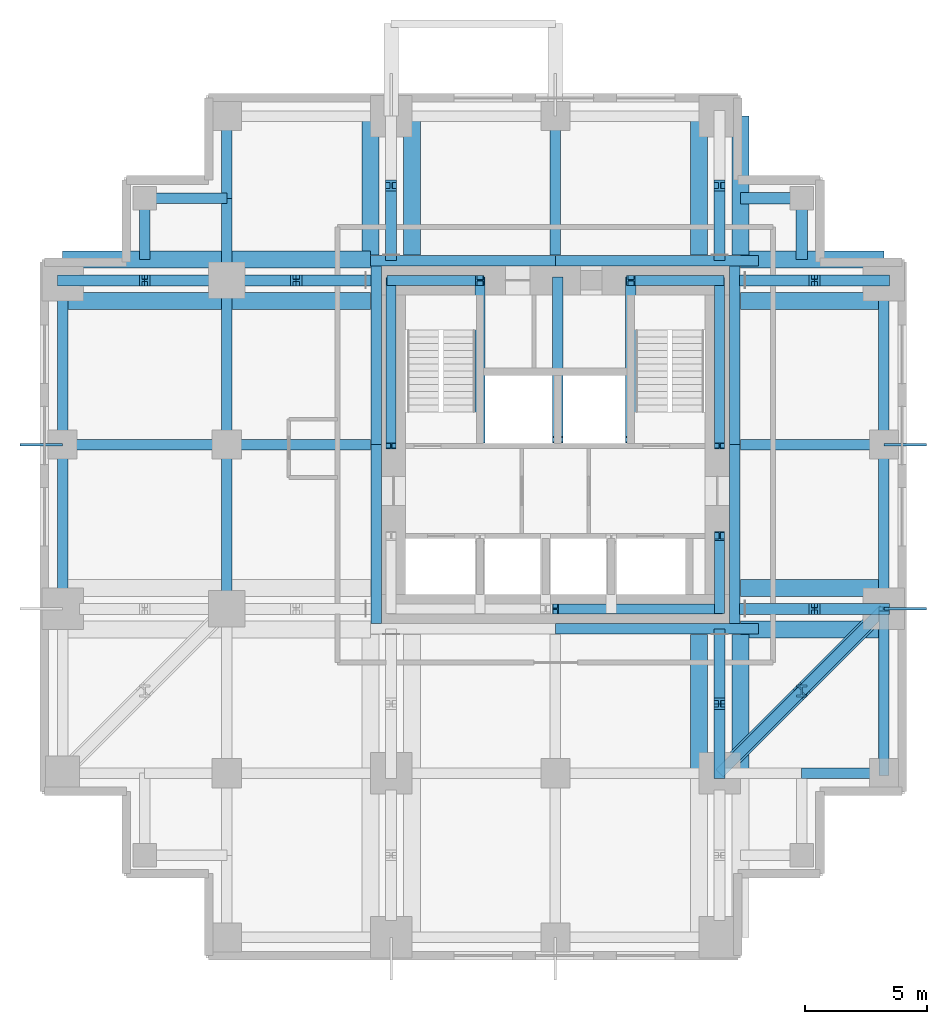
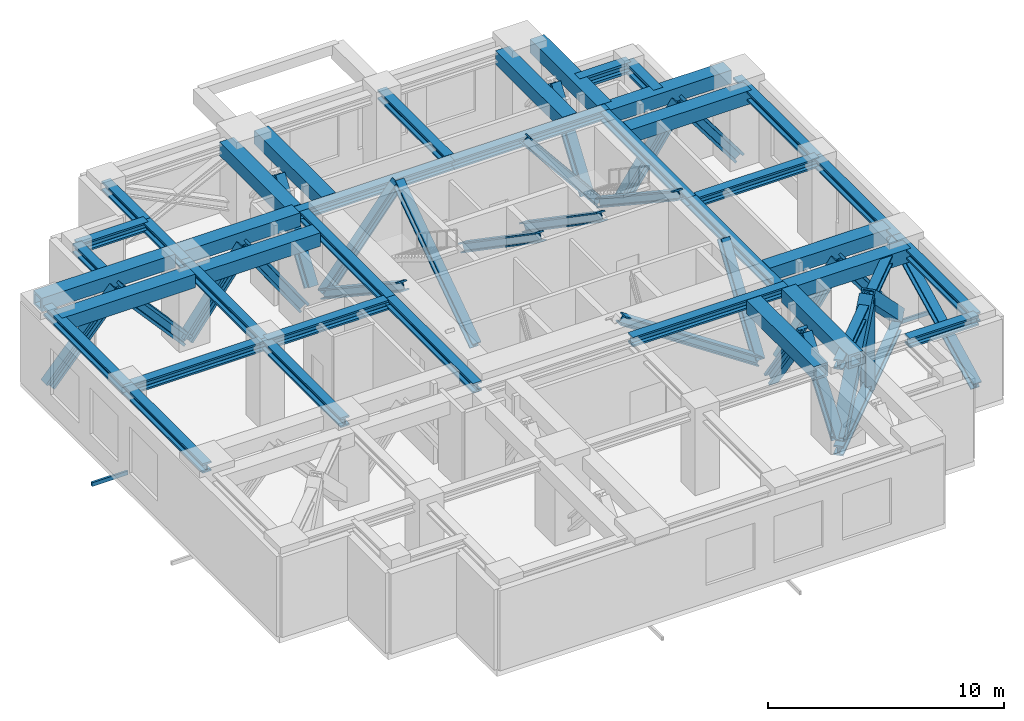
# One storey, part 2 of 6: 39 beams, 31 members.
"""IFC4 building model written with IfcOpenShell, lengths in metres."""

from ifc_helpers import new_model, si_unit, direction, frame, origin, origin_2d, place, context, subcontext, project, spatial, hollow_rectangle, i_section, extrude, material, material_profile, profile_set, type_object, element, save


model = new_model("IFC4")

# Units and contexts
model_context = context("Model", 3, precision=1e-05, world=origin(), true_north=direction((0.0, 1.0)))
body_context = subcontext(model_context, "Body", "Model", "MODEL_VIEW")
ifc_project = project(units=[si_unit("LENGTHUNIT", "METRE"), si_unit("AREAUNIT", "SQUARE_METRE"), si_unit("VOLUMEUNIT", "CUBIC_METRE"), si_unit("PLANEANGLEUNIT", "RADIAN"), si_unit("MASSUNIT", "GRAM", prefix="KILO")], contexts=[model_context])

# Site, building, storey
site_placement = place(None, origin())
site = spatial("IfcSite", under=ifc_project, at=site_placement, CompositionType="ELEMENT")
building_placement = place(site_placement, origin())
building = spatial("IfcBuilding", under=site, at=building_placement, Name="Nyansa Garden Tower", CompositionType="ELEMENT")
storey_placement = place(building_placement, frame((0.0, 0.0, 199.800048828125)))
storey = spatial("IfcBuildingStorey", under=building, at=storey_placement, Name="L54", CompositionType="ELEMENT", Elevation=199.800048828125)

# Members
ifc_material_1 = material(Name="Steel S355, black powder coated", Category="steel")
ifc_material_profile_1 = material_profile(ifc_material_1, hollow_rectangle(XDim=0.10009765625, YDim=0.199951171875, WallThickness=0.008056640625, at=origin_2d()), Name="RHS 200x100x8")
ifc_profile_set_1 = profile_set([ifc_material_profile_1], Name="Steel S355, black powder coated")
member_type_1 = type_object("IfcMemberType", Name="Outer skin bracket arm RHS 200x100x8", PredefinedType="USERDEFINED", material=ifc_profile_set_1)
for number, where, z_axis, x_axis, name in (
    (1, (33.75, 13.5, -0.449951171875), (1.0, 0.0, 0.0), (0.0, 1.0, 0.0), "Outer skin bracket arm"),
    (2, (33.75, 20.25, -0.449951171875), (1.0, 0.0, 0.0), (0.0, 1.0, 0.0), "Outer skin bracket arm"),
    (3, (0.0, 20.25, -0.449951171875), (-1.0, 0.0, 0.0), (0.0, -1.0, 0.0), "Outer skin bracket arm"),
):
    element("IfcMember", number, at=place(storey_placement, frame(where, z_axis=z_axis, x_axis=x_axis)), inside=storey, type_object=member_type_1, Name=name, ObjectType="OUTER SKIN BRACKET", PredefinedType="USERDEFINED", context=body_context, shape_type="SweptSolid", body=[
        extrude(hollow_rectangle(XDim=0.10009765625, YDim=0.199951171875, WallThickness=0.008056640625, at=origin_2d()), origin(), (0.0, 0.0, 1.0), 1.75),
    ])

# Beams
ifc_material_2 = material(Name="Steel S355", Category="steel")
ifc_material_profile_2 = material_profile(ifc_material_2, hollow_rectangle(XDim=0.699951171875, YDim=0.699951171875, WallThickness=0.110107421875, at=origin_2d()), Name="Welded box 700x700x110")
ifc_profile_set_2 = profile_set([ifc_material_profile_2], Name="Steel S355")
beam_type_1 = type_object("IfcBeamType", Name="Outrigger chord OC2 welded box 700x700x110 S355", PredefinedType="BEAM", material=ifc_profile_set_2)
for number, where, z_axis, x_axis, name in (
    (4, (0.0, 27.85009765625, 3.800048828125), (1.0, 0.0, 0.0), (0.0, 1.0, 0.0), "Beam 2/H-3/H L55 a"),
    (5, (0.0, 26.14990234375, 3.800048828125), (1.0, 0.0, 0.0), (0.0, 1.0, 0.0), "Beam 2/H-3/H L55 b"),
):
    element("IfcBeam", number, at=place(storey_placement, frame(where, z_axis=z_axis, x_axis=x_axis)), inside=storey, type_object=beam_type_1, Name=name, PredefinedType="BEAM", context=body_context, shape_type="SweptSolid", body=[
        extrude(hollow_rectangle(XDim=0.699951171875, YDim=0.699951171875, WallThickness=0.110107421875, at=origin_2d()), origin(), (0.0, 0.0, 1.0), 6.533935546875),
    ])
for number, where, z_axis, x_axis, name in (
    (6, (6.966064453125, 27.85009765625, 3.800048828125), (1.0, 0.0, 0.0), (0.0, 1.0, 0.0), "Beam 3/H-12.650/H L55 a"),
    (7, (6.966064453125, 26.14990234375, 3.800048828125), (1.0, 0.0, 0.0), (0.0, 1.0, 0.0), "Beam 3/H-12.650/H L55 b"),
):
    element("IfcBeam", number, at=place(storey_placement, frame(where, z_axis=z_axis, x_axis=x_axis)), inside=storey, type_object=beam_type_1, Name=name, PredefinedType="BEAM", context=body_context, shape_type="SweptSolid", body=[
        extrude(hollow_rectangle(XDim=0.699951171875, YDim=0.699951171875, WallThickness=0.110107421875, at=origin_2d()), origin(), (0.0, 0.0, 1.0), 5.683837890625),
    ])
for number, where, z_axis, x_axis, name in (
    (8, (12.64990234375, 28.050048828125, 3.800048828125), (0.0, 1.0, 0.0), (-1.0, 0.0, 0.0), "Beam 4/28.050-4/J L55 a"),
    (9, (14.35009765625, 28.050048828125, 3.800048828125), (0.0, 1.0, 0.0), (-1.0, 0.0, 0.0), "Beam 4/28.050-4/J L55 b"),
    (10, (26.14990234375, 6.75, 3.800048828125), (0.0, 1.0, 0.0), (-1.0, 0.0, 0.0), "Beam 6/E-6/12.450 L55 a"),
    (11, (27.85009765625, 6.75, 3.800048828125), (0.0, 1.0, 0.0), (-1.0, 0.0, 0.0), "Beam 6/E-6/12.450 L55 b"),
):
    element("IfcBeam", number, at=place(storey_placement, frame(where, z_axis=z_axis, x_axis=x_axis)), inside=storey, type_object=beam_type_1, Name=name, PredefinedType="BEAM", context=body_context, shape_type="SweptSolid", body=[
        extrude(hollow_rectangle(XDim=0.699951171875, YDim=0.699951171875, WallThickness=0.110107421875, at=origin_2d()), origin(), (0.0, 0.0, 1.0), 5.699951171875),
    ])
for number, where, z_axis, x_axis, name in (
    (12, (27.85009765625, 14.35009765625, 3.800048828125), (1.0, 0.0, 0.0), (0.0, 1.0, 0.0), "Beam 27.850/F-7/F L55 a"),
    (13, (27.85009765625, 12.64990234375, 3.800048828125), (1.0, 0.0, 0.0), (0.0, 1.0, 0.0), "Beam 27.850/F-7/F L55 b"),
):
    element("IfcBeam", number, at=place(storey_placement, frame(where, z_axis=z_axis, x_axis=x_axis)), inside=storey, type_object=beam_type_1, Name=name, PredefinedType="BEAM", context=body_context, shape_type="SweptSolid", body=[
        extrude(hollow_rectangle(XDim=0.699951171875, YDim=0.699951171875, WallThickness=0.110107421875, at=origin_2d()), origin(), (0.0, 0.0, 1.0), 5.89990234375),
    ])
for number, where, z_axis, x_axis, name in (
    (14, (26.14990234375, 28.050048828125, 3.800048828125), (0.0, 1.0, 0.0), (-1.0, 0.0, 0.0), "Beam 6/28.050-6/J L55 a"),
    (15, (27.85009765625, 28.050048828125, 3.800048828125), (0.0, 1.0, 0.0), (-1.0, 0.0, 0.0), "Beam 6/28.050-6/J L55 b"),
):
    element("IfcBeam", number, at=place(storey_placement, frame(where, z_axis=z_axis, x_axis=x_axis)), inside=storey, type_object=beam_type_1, Name=name, PredefinedType="BEAM", context=body_context, shape_type="SweptSolid", body=[
        extrude(hollow_rectangle(XDim=0.699951171875, YDim=0.699951171875, WallThickness=0.110107421875, at=origin_2d()), origin(), (0.0, 0.0, 1.0), 5.699951171875),
    ])
for number, where, z_axis, x_axis, name in (
    (16, (27.85009765625, 27.85009765625, 3.800048828125), (1.0, 0.0, 0.0), (0.0, 1.0, 0.0), "Beam 27.850/H-7/H L55 a"),
    (17, (27.85009765625, 26.14990234375, 3.800048828125), (1.0, 0.0, 0.0), (0.0, 1.0, 0.0), "Beam 27.850/H-7/H L55 b"),
):
    element("IfcBeam", number, at=place(storey_placement, frame(where, z_axis=z_axis, x_axis=x_axis)), inside=storey, type_object=beam_type_1, Name=name, PredefinedType="BEAM", context=body_context, shape_type="SweptSolid", body=[
        extrude(hollow_rectangle(XDim=0.699951171875, YDim=0.699951171875, WallThickness=0.110107421875, at=origin_2d()), origin(), (0.0, 0.0, 1.0), 5.89990234375),
    ])

# Members
ifc_material_3 = material(Name="Steel S355", Category="steel")
ifc_material_profile_3 = material_profile(ifc_material_3, i_section(OverallWidth=0.4541015625, OverallDepth=0.569091796875, WebThickness=0.077880859375, FlangeThickness=0.125, FilletRadius=0.014892578125, at=origin_2d()), Name="HD 400x1086")
ifc_profile_set_3 = profile_set([ifc_material_profile_3], Name="Steel S355")
member_type_2 = type_object("IfcMemberType", Name="Outrigger truss diagonal HD 400x1086", PredefinedType="BRACE", material=ifc_profile_set_3)
member_1_placement = place(storey_placement, frame((27.0, 6.75, 0.0), z_axis=(0.0, 0.600008223483, 0.799993832321), x_axis=(-1.0, 0.0, 0.0)))
element("IfcMember", 18, at=member_1_placement, inside=storey, type_object=member_type_2, Name="Outrigger truss diagonal L54 2.2a", PredefinedType="BRACE", context=body_context, shape_type="SweptSolid", body=[
    extrude(i_section(OverallWidth=0.4541015625, OverallDepth=0.569091796875, WebThickness=0.077880859375, FlangeThickness=0.125, FilletRadius=0.014892578125, at=origin_2d()), origin(), (0.0, 0.0, 1.0), 4.75),
])
for number, where, z_axis, x_axis, name in (
    (19, (27.0, 12.449951171875, -0.300048828125), (0.0, -0.570742116103, 0.82112936673), (1.0, 0.0, 0.0), "Outrigger truss diagonal L54 2.2b"),
    (20, (13.5, 28.050048828125, -0.300048828125), (0.0, 0.570742116103, 0.82112936673), (-1.0, 0.0, 0.0), "Outrigger truss diagonal L54 3.1a"),
    (21, (27.0, 28.050048828125, -0.300048828125), (0.0, 0.570742116103, 0.82112936673), (-1.0, 0.0, 0.0), "Outrigger truss diagonal L54 4.1a"),
):
    element("IfcMember", number, at=place(storey_placement, frame(where, z_axis=z_axis, x_axis=x_axis)), inside=storey, type_object=member_type_2, Name=name, PredefinedType="BRACE", context=body_context, shape_type="SweptSolid", body=[
        extrude(i_section(OverallWidth=0.4541015625, OverallDepth=0.569091796875, WebThickness=0.077880859375, FlangeThickness=0.125, FilletRadius=0.014892578125, at=origin_2d()), origin(), (0.0, 0.0, 1.0), 4.9931640625),
    ])
for number, where, z_axis, x_axis, name in (
    (22, (0.0, 27.0, 0.0), (0.664053699108, 0.0, 0.747684883291), (0.0, 1.0, 0.0), "Outrigger truss diagonal L54 6.1a"),
    (23, (6.75, 27.0, 0.0), (-0.664053699108, 0.0, 0.747684883291), (0.0, -1.0, 0.0), "Outrigger truss diagonal L54 6.1b"),
):
    element("IfcMember", number, at=place(storey_placement, frame(where, z_axis=z_axis, x_axis=x_axis)), inside=storey, type_object=member_type_2, Name=name, PredefinedType="BRACE", context=body_context, shape_type="SweptSolid", body=[
        extrude(i_section(OverallWidth=0.4541015625, OverallDepth=0.569091796875, WebThickness=0.077880859375, FlangeThickness=0.125, FilletRadius=0.014892578125, at=origin_2d()), origin(), (0.0, 0.0, 1.0), 5.08251953125),
    ])
member_2_placement = place(storey_placement, frame((6.75, 27.0, 0.0), z_axis=(0.600008223483, 0.0, 0.799993832321), x_axis=(0.0, 1.0, 0.0)))
element("IfcMember", 24, at=member_2_placement, inside=storey, type_object=member_type_2, Name="Outrigger truss diagonal L54 6.2a", PredefinedType="BRACE", context=body_context, shape_type="SweptSolid", body=[
    extrude(i_section(OverallWidth=0.4541015625, OverallDepth=0.569091796875, WebThickness=0.077880859375, FlangeThickness=0.125, FilletRadius=0.014892578125, at=origin_2d()), origin(), (0.0, 0.0, 1.0), 4.75),
])
for number, where, z_axis, x_axis, name in (
    (25, (12.449951171875, 27.0, -0.300048828125), (-0.570742116103, 0.0, 0.82112936673), (0.0, -1.0, 0.0), "Outrigger truss diagonal L54 6.2b"),
    (26, (28.050048828125, 13.5, -0.300048828125), (0.570742116103, 0.0, 0.82112936673), (0.0, 1.0, 0.0), "Outrigger truss diagonal L54 7.1a"),
):
    element("IfcMember", number, at=place(storey_placement, frame(where, z_axis=z_axis, x_axis=x_axis)), inside=storey, type_object=member_type_2, Name=name, PredefinedType="BRACE", context=body_context, shape_type="SweptSolid", body=[
        extrude(i_section(OverallWidth=0.4541015625, OverallDepth=0.569091796875, WebThickness=0.077880859375, FlangeThickness=0.125, FilletRadius=0.014892578125, at=origin_2d()), origin(), (0.0, 0.0, 1.0), 4.9931640625),
    ])
member_3_placement = place(storey_placement, frame((33.75, 13.5, 0.0), z_axis=(-0.600008223483, 0.0, 0.799993832321), x_axis=(0.0, -1.0, 0.0)))
element("IfcMember", 27, at=member_3_placement, inside=storey, type_object=member_type_2, Name="Outrigger truss diagonal L54 7.1b", PredefinedType="BRACE", context=body_context, shape_type="SweptSolid", body=[
    extrude(i_section(OverallWidth=0.4541015625, OverallDepth=0.569091796875, WebThickness=0.077880859375, FlangeThickness=0.125, FilletRadius=0.014892578125, at=origin_2d()), origin(), (0.0, 0.0, 1.0), 4.75),
])
member_4_placement = place(storey_placement, frame((28.050048828125, 27.0, -0.300048828125), z_axis=(0.570742116103, 0.0, 0.82112936673), x_axis=(0.0, 1.0, 0.0)))
element("IfcMember", 28, at=member_4_placement, inside=storey, type_object=member_type_2, Name="Outrigger truss diagonal L54 8.1a", PredefinedType="BRACE", context=body_context, shape_type="SweptSolid", body=[
    extrude(i_section(OverallWidth=0.4541015625, OverallDepth=0.569091796875, WebThickness=0.077880859375, FlangeThickness=0.125, FilletRadius=0.014892578125, at=origin_2d()), origin(), (0.0, 0.0, 1.0), 4.9931640625),
])
member_5_placement = place(storey_placement, frame((33.75, 27.0, 0.0), z_axis=(-0.600008223483, 0.0, 0.799993832321), x_axis=(0.0, -1.0, 0.0)))
element("IfcMember", 29, at=member_5_placement, inside=storey, type_object=member_type_2, Name="Outrigger truss diagonal L54 8.1b", PredefinedType="BRACE", context=body_context, shape_type="SweptSolid", body=[
    extrude(i_section(OverallWidth=0.4541015625, OverallDepth=0.569091796875, WebThickness=0.077880859375, FlangeThickness=0.125, FilletRadius=0.014892578125, at=origin_2d()), origin(), (0.0, 0.0, 1.0), 4.75),
])
ifc_material_4 = material(Name="Steel S355", Category="steel")
ifc_material_profile_4 = material_profile(ifc_material_4, i_section(OverallWidth=0.41796875, OverallDepth=0.455078125, WebThickness=0.0419921875, FlangeThickness=0.067626953125, FilletRadius=0.014892578125, at=origin_2d()), Name="HD 400x463")
ifc_profile_set_4 = profile_set([ifc_material_profile_4], Name="Steel S355")
member_type_3 = type_object("IfcMemberType", Name="Perimeter brace heavy HD 400x463", PredefinedType="BRACE", material=ifc_profile_set_4)
member_6_placement = place(storey_placement, frame((27.0, 13.5, 0.0), z_axis=(-0.832050294338, 0.0, 0.554700196225), x_axis=(0.0, -1.0, 0.0)))
element("IfcMember", 30, at=member_6_placement, inside=storey, type_object=member_type_3, Name="Core brace CS2 L54", PredefinedType="BRACE", context=body_context, shape_type="SweptSolid", body=[
    extrude(i_section(OverallWidth=0.41796875, OverallDepth=0.455078125, WebThickness=0.0419921875, FlangeThickness=0.067626953125, FilletRadius=0.014892578125, at=origin_2d()), origin(), (0.0, 0.0, 1.0), 8.112548828125),
])
for number, where, z_axis, x_axis, name in (
    (31, (13.5, 27.0, 0.0), (0.629932498557, 0.0, 0.776649887184), (0.0, 1.0, 0.0), "Core brace CN3 L54"),
    (32, (27.0, 27.0, 0.0), (-0.629932498557, 0.0, 0.776649887184), (0.0, -1.0, 0.0), "Core brace CN4 L54"),
):
    element("IfcMember", number, at=place(storey_placement, frame(where, z_axis=z_axis, x_axis=x_axis)), inside=storey, type_object=member_type_3, Name=name, PredefinedType="BRACE", context=body_context, shape_type="SweptSolid", body=[
        extrude(i_section(OverallWidth=0.41796875, OverallDepth=0.455078125, WebThickness=0.0419921875, FlangeThickness=0.067626953125, FilletRadius=0.014892578125, at=origin_2d()), origin(), (0.0, 0.0, 1.0), 5.794189453125),
    ])
member_7_placement = place(storey_placement, frame((13.5, 27.0, 0.0), z_axis=(0.0, -0.833934029443, 0.551864145), x_axis=(1.0, 0.0, 0.0)))
element("IfcMember", 33, at=member_7_placement, inside=storey, type_object=member_type_3, Name="Core brace CW6 L54", PredefinedType="BRACE", context=body_context, shape_type="SweptSolid", body=[
    extrude(i_section(OverallWidth=0.41796875, OverallDepth=0.455078125, WebThickness=0.0419921875, FlangeThickness=0.067626953125, FilletRadius=0.014892578125, at=origin_2d()), origin(), (0.0, 0.0, 1.0), 8.154296875),
])
member_8_placement = place(storey_placement, frame((27.0, 13.5, 0.0), z_axis=(0.0, 0.554700196225, 0.832050294338), x_axis=(-1.0, 0.0, 0.0)))
element("IfcMember", 34, at=member_8_placement, inside=storey, type_object=member_type_3, Name="Core brace CE7 L54", PredefinedType="BRACE", context=body_context, shape_type="SweptSolid", body=[
    extrude(i_section(OverallWidth=0.41796875, OverallDepth=0.455078125, WebThickness=0.0419921875, FlangeThickness=0.067626953125, FilletRadius=0.014892578125, at=origin_2d()), origin(), (0.0, 0.0, 1.0), 5.408447265625),
])
member_9_placement = place(storey_placement, frame((27.0, 27.0, 0.0), z_axis=(0.0, -0.833934029443, 0.551864145), x_axis=(1.0, 0.0, 0.0)))
element("IfcMember", 35, at=member_9_placement, inside=storey, type_object=member_type_3, Name="Core brace CE8 L54", PredefinedType="BRACE", context=body_context, shape_type="SweptSolid", body=[
    extrude(i_section(OverallWidth=0.41796875, OverallDepth=0.455078125, WebThickness=0.0419921875, FlangeThickness=0.067626953125, FilletRadius=0.014892578125, at=origin_2d()), origin(), (0.0, 0.0, 1.0), 8.154296875),
])
for number, where, z_axis, x_axis, name in (
    (36, (17.14990234375, 20.449951171875, 0.0), (0.0, 0.824227431411, 0.566258899541), (-1.0, 0.0, 0.0), "Core brace CWS9 L54"),
    (37, (23.35009765625, 27.0, 0.0), (0.0, -0.824227431411, 0.566258899541), (1.0, 0.0, 0.0), "Core brace CES10 L54"),
    (38, (20.35009765625, 27.0, 0.0), (0.0, -0.824227431411, 0.566258899541), (1.0, 0.0, 0.0), "Core brace CNW14 L54"),
):
    element("IfcMember", number, at=place(storey_placement, frame(where, z_axis=z_axis, x_axis=x_axis)), inside=storey, type_object=member_type_3, Name=name, PredefinedType="BRACE", context=body_context, shape_type="SweptSolid", body=[
        extrude(i_section(OverallWidth=0.41796875, OverallDepth=0.455078125, WebThickness=0.0419921875, FlangeThickness=0.067626953125, FilletRadius=0.014892578125, at=origin_2d()), origin(), (0.0, 0.0, 1.0), 7.94677734375),
    ])
member_10_placement = place(storey_placement, frame((33.75, 6.75, 0.39990234375), z_axis=(0.0, 0.893092378182, 0.449873319985), x_axis=(-1.0, 0.0, 0.0)))
element("IfcMember", 39, at=member_10_placement, inside=storey, type_object=member_type_3, Name="Perimeter brace E1 L54", PredefinedType="BRACE", context=body_context, shape_type="SweptSolid", body=[
    extrude(i_section(OverallWidth=0.41796875, OverallDepth=0.455078125, WebThickness=0.0419921875, FlangeThickness=0.067626953125, FilletRadius=0.014892578125, at=origin_2d()), origin(), (0.0, 0.0, 1.0), 7.55810546875),
])

# Beams
ifc_material_5 = material(Name="Steel S355", Category="steel")
ifc_material_profile_5 = material_profile(ifc_material_5, i_section(OverallWidth=0.431884765625, OverallDepth=0.498046875, WebThickness=0.0556640625, FlangeThickness=0.0888671875, FilletRadius=0.014892578125, at=origin_2d()), Name="HD 400x744")
ifc_profile_set_5 = profile_set([ifc_material_profile_5], Name="Steel S355")
beam_type_2 = type_object("IfcBeamType", Name="Steel beam SBC2-744 HD 400x744", PredefinedType="BEAM", material=ifc_profile_set_5)
for number, where, z_axis, x_axis, name in (
    (40, (0.0, 20.25, 3.90087890625), (1.0, 0.0, 0.0), (0.0, 1.0, 0.0), "Steel beam 2/G-3/G L55"),
    (41, (6.75, 13.5, 3.90087890625), (0.0, 1.0, 0.0), (-1.0, 0.0, 0.0), "Steel beam 3/F-3/G L55"),
    (42, (6.75, 20.25, 3.90087890625), (0.0, 1.0, 0.0), (-1.0, 0.0, 0.0), "Steel beam 3/G-3/H L55"),
):
    element("IfcBeam", number, at=place(storey_placement, frame(where, z_axis=z_axis, x_axis=x_axis)), inside=storey, type_object=beam_type_2, Name=name, PredefinedType="BEAM", context=body_context, shape_type="SweptSolid", body=[
        extrude(i_section(OverallWidth=0.431884765625, OverallDepth=0.498046875, WebThickness=0.0556640625, FlangeThickness=0.0888671875, FilletRadius=0.014892578125, at=origin_2d()), origin(), (0.0, 0.0, 1.0), 6.75),
    ])
beam_1_placement = place(storey_placement, frame((6.75, 20.25, 3.90087890625), z_axis=(1.0, 0.0, 0.0), x_axis=(0.0, 1.0, 0.0)))
element("IfcBeam", 43, at=beam_1_placement, inside=storey, type_object=beam_type_2, Name="Steel beam 3/G-12.650/G L55", PredefinedType="BEAM", context=body_context, shape_type="SweptSolid", body=[
    extrude(i_section(OverallWidth=0.431884765625, OverallDepth=0.498046875, WebThickness=0.0556640625, FlangeThickness=0.0888671875, FilletRadius=0.014892578125, at=origin_2d()), origin(), (0.0, 0.0, 1.0), 5.89990234375),
])
beam_2_placement = place(storey_placement, frame((6.75, 27.0, 3.90087890625), z_axis=(0.0, 1.0, 0.0), x_axis=(-1.0, 0.0, 0.0)))
element("IfcBeam", 44, at=beam_2_placement, inside=storey, type_object=beam_type_2, Name="Steel beam 3/H-3/30.375 L55", PredefinedType="BEAM", context=body_context, shape_type="SweptSolid", body=[
    extrude(i_section(OverallWidth=0.431884765625, OverallDepth=0.498046875, WebThickness=0.0556640625, FlangeThickness=0.0888671875, FilletRadius=0.014892578125, at=origin_2d()), origin(), (0.0, 0.0, 1.0), 3.375),
])
beam_3_placement = place(storey_placement, frame((20.25, 28.050048828125, 3.90087890625), z_axis=(0.0, 1.0, 0.0), x_axis=(-1.0, 0.0, 0.0)))
element("IfcBeam", 45, at=beam_3_placement, inside=storey, type_object=beam_type_2, Name="Steel beam 5/28.050-5/J L55", PredefinedType="BEAM", context=body_context, shape_type="SweptSolid", body=[
    extrude(i_section(OverallWidth=0.431884765625, OverallDepth=0.498046875, WebThickness=0.0556640625, FlangeThickness=0.0888671875, FilletRadius=0.014892578125, at=origin_2d()), origin(), (0.0, 0.0, 1.0), 5.699951171875),
])
beam_4_placement = place(storey_placement, frame((27.85009765625, 20.25, 3.90087890625), z_axis=(1.0, 0.0, 0.0), x_axis=(0.0, 1.0, 0.0)))
element("IfcBeam", 46, at=beam_4_placement, inside=storey, type_object=beam_type_2, Name="Steel beam 27.850/G-7/G L55", PredefinedType="BEAM", context=body_context, shape_type="SweptSolid", body=[
    extrude(i_section(OverallWidth=0.431884765625, OverallDepth=0.498046875, WebThickness=0.0556640625, FlangeThickness=0.0888671875, FilletRadius=0.014892578125, at=origin_2d()), origin(), (0.0, 0.0, 1.0), 5.89990234375),
])
ifc_material_6 = material(Name="Steel S355", Category="steel")
ifc_material_profile_6 = material_profile(ifc_material_6, i_section(OverallWidth=0.431884765625, OverallDepth=0.498046875, WebThickness=0.0556640625, FlangeThickness=0.0888671875, FilletRadius=0.014892578125, at=origin_2d()), Name="HD 400x744")
ifc_profile_set_6 = profile_set([ifc_material_profile_6], Name="Steel S355")
beam_type_3 = type_object("IfcBeamType", Name="Steel beam SEBC-744 HD 400x744", PredefinedType="BEAM", material=ifc_profile_set_6)
for number, where, z_axis, x_axis, name in (
    (47, (0.0, 13.5, 3.90087890625), (0.0, 1.0, 0.0), (-1.0, 0.0, 0.0), "Steel edge beam 2/F-2/G L55"),
    (48, (0.0, 20.25, 3.90087890625), (0.0, 1.0, 0.0), (-1.0, 0.0, 0.0), "Steel edge beam 2/G-2/H L55"),
    (49, (33.75, 6.75, 3.90087890625), (0.0, 1.0, 0.0), (-1.0, 0.0, 0.0), "Steel edge beam 7/E-7/F L55"),
    (50, (33.75, 13.5, 3.90087890625), (0.0, 1.0, 0.0), (-1.0, 0.0, 0.0), "Steel edge beam 7/F-7/G L55"),
    (51, (33.75, 20.25, 3.90087890625), (0.0, 1.0, 0.0), (-1.0, 0.0, 0.0), "Steel edge beam 7/G-7/H L55"),
):
    element("IfcBeam", number, at=place(storey_placement, frame(where, z_axis=z_axis, x_axis=x_axis)), inside=storey, type_object=beam_type_3, Name=name, PredefinedType="BEAM", context=body_context, shape_type="SweptSolid", body=[
        extrude(i_section(OverallWidth=0.431884765625, OverallDepth=0.498046875, WebThickness=0.0556640625, FlangeThickness=0.0888671875, FilletRadius=0.014892578125, at=origin_2d()), origin(), (0.0, 0.0, 1.0), 6.75),
    ])
ifc_material_7 = material(Name="Steel S355", Category="steel")
ifc_material_profile_7 = material_profile(ifc_material_7, i_section(OverallWidth=0.431884765625, OverallDepth=0.498046875, WebThickness=0.0556640625, FlangeThickness=0.0888671875, FilletRadius=0.014892578125, at=origin_2d()), Name="HD 400x744")
ifc_profile_set_7 = profile_set([ifc_material_profile_7], Name="Steel S355")
beam_type_4 = type_object("IfcBeamType", Name="Steel beam SEBC2-744 HD 400x744", PredefinedType="BEAM", material=ifc_profile_set_7)
for number, where, z_axis, x_axis, name in (
    (52, (6.75, 30.375, 3.90087890625), (0.0, 1.0, 0.0), (-1.0, 0.0, 0.0), "Steel edge beam 3/30.375-3/J L55"),
    (53, (30.375, 6.75, 3.90087890625), (1.0, 0.0, 0.0), (0.0, 1.0, 0.0), "Steel edge beam 30.375/E-7/E L55"),
):
    element("IfcBeam", number, at=place(storey_placement, frame(where, z_axis=z_axis, x_axis=x_axis)), inside=storey, type_object=beam_type_4, Name=name, PredefinedType="BEAM", context=body_context, shape_type="SweptSolid", body=[
        extrude(i_section(OverallWidth=0.431884765625, OverallDepth=0.498046875, WebThickness=0.0556640625, FlangeThickness=0.0888671875, FilletRadius=0.014892578125, at=origin_2d()), origin(), (0.0, 0.0, 1.0), 3.375),
    ])
ifc_material_8 = material(Name="Steel S355", Category="steel")
ifc_material_profile_8 = material_profile(ifc_material_8, i_section(OverallWidth=0.431884765625, OverallDepth=0.498046875, WebThickness=0.0556640625, FlangeThickness=0.0888671875, FilletRadius=0.014892578125, at=origin_2d()), Name="HD 400x744")
ifc_profile_set_8 = profile_set([ifc_material_profile_8], Name="Steel S355")
beam_type_5 = type_object("IfcBeamType", Name="Steel beam SLB2-744 HD 400x744", PredefinedType="BEAM", material=ifc_profile_set_8)
beam_5_placement = place(storey_placement, frame((20.25, 12.68408203125, 3.90087890625), z_axis=(1.0, 0.0, 0.0), x_axis=(0.0, 1.0, 0.0)))
element("IfcBeam", 54, at=beam_5_placement, inside=storey, type_object=beam_type_5, Name="Steel core ledger beam S.2 L55", PredefinedType="BEAM", context=body_context, shape_type="SweptSolid", body=[
    extrude(i_section(OverallWidth=0.431884765625, OverallDepth=0.498046875, WebThickness=0.0556640625, FlangeThickness=0.0888671875, FilletRadius=0.014892578125, at=origin_2d()), origin(), (0.0, 0.0, 1.0), 8.35009765625),
])
for number, where, z_axis, x_axis, name in (
    (55, (27.615966796875, 12.89990234375, 3.90087890625), (0.0, 1.0, 0.0), (-1.0, 0.0, 0.0), "Steel core ledger beam E.1 L55"),
    (56, (27.615966796875, 20.25, 3.90087890625), (0.0, 1.0, 0.0), (-1.0, 0.0, 0.0), "Steel core ledger beam E.2 L55"),
):
    element("IfcBeam", number, at=place(storey_placement, frame(where, z_axis=z_axis, x_axis=x_axis)), inside=storey, type_object=beam_type_5, Name=name, PredefinedType="BEAM", context=body_context, shape_type="SweptSolid", body=[
        extrude(i_section(OverallWidth=0.431884765625, OverallDepth=0.498046875, WebThickness=0.0556640625, FlangeThickness=0.0888671875, FilletRadius=0.014892578125, at=origin_2d()), origin(), (0.0, 0.0, 1.0), 7.35009765625),
    ])
for number, where, z_axis, x_axis, name in (
    (57, (28.60009765625, 27.81591796875, 3.90087890625), (-1.0, 0.0, 0.0), (0.0, -1.0, 0.0), "Steel core ledger beam N.1 L55"),
    (58, (20.25, 27.81591796875, 3.90087890625), (-1.0, 0.0, 0.0), (0.0, -1.0, 0.0), "Steel core ledger beam N.2 L55"),
):
    element("IfcBeam", number, at=place(storey_placement, frame(where, z_axis=z_axis, x_axis=x_axis)), inside=storey, type_object=beam_type_5, Name=name, PredefinedType="BEAM", context=body_context, shape_type="SweptSolid", body=[
        extrude(i_section(OverallWidth=0.431884765625, OverallDepth=0.498046875, WebThickness=0.0556640625, FlangeThickness=0.0888671875, FilletRadius=0.014892578125, at=origin_2d()), origin(), (0.0, 0.0, 1.0), 8.35009765625),
    ])
for number, where, z_axis, x_axis, name in (
    (59, (12.884033203125, 27.60009765625, 3.90087890625), (0.0, -1.0, 0.0), (1.0, 0.0, 0.0), "Steel core ledger beam W.1 L55"),
    (60, (12.884033203125, 20.25, 3.90087890625), (0.0, -1.0, 0.0), (1.0, 0.0, 0.0), "Steel core ledger beam W.2 L55"),
):
    element("IfcBeam", number, at=place(storey_placement, frame(where, z_axis=z_axis, x_axis=x_axis)), inside=storey, type_object=beam_type_5, Name=name, PredefinedType="BEAM", context=body_context, shape_type="SweptSolid", body=[
        extrude(i_section(OverallWidth=0.431884765625, OverallDepth=0.498046875, WebThickness=0.0556640625, FlangeThickness=0.0888671875, FilletRadius=0.014892578125, at=origin_2d()), origin(), (0.0, 0.0, 1.0), 7.35009765625),
    ])
ifc_material_9 = material(Name="Steel S355", Category="steel")
ifc_material_profile_9 = material_profile(ifc_material_9, i_section(OverallWidth=0.4541015625, OverallDepth=0.569091796875, WebThickness=0.077880859375, FlangeThickness=0.125, FilletRadius=0.014892578125, at=origin_2d()), Name="HD 400x1086")
ifc_profile_set_9 = profile_set([ifc_material_profile_9], Name="Steel S355")
beam_type_6 = type_object("IfcBeamType", Name="Steel beam SSB1-1086 HD 400x1086", PredefinedType="BEAM", material=ifc_profile_set_9)
for number, where, z_axis, x_axis, name in (
    (61, (30.375, 30.375, 3.865478515625), (0.0, -1.0, 0.0), (1.0, 0.0, 0.0), "Steel step beam 30.375/30.375 L55"),
    (62, (30.375, 30.375, 3.865478515625), (-1.0, 0.0, 0.0), (0.0, -1.0, 0.0), "Steel step beam 30.375/30.375 L55"),
):
    element("IfcBeam", number, at=place(storey_placement, frame(where, z_axis=z_axis, x_axis=x_axis)), inside=storey, type_object=beam_type_6, Name=name, PredefinedType="BEAM", context=body_context, shape_type="SweptSolid", body=[
        extrude(i_section(OverallWidth=0.4541015625, OverallDepth=0.569091796875, WebThickness=0.077880859375, FlangeThickness=0.125, FilletRadius=0.014892578125, at=origin_2d()), origin(), (0.0, 0.0, 1.0), 2.52490234375),
    ])
ifc_material_10 = material(Name="Steel S355", Category="steel")
ifc_material_profile_10 = material_profile(ifc_material_10, i_section(OverallWidth=0.431884765625, OverallDepth=0.498046875, WebThickness=0.0556640625, FlangeThickness=0.0888671875, FilletRadius=0.014892578125, at=origin_2d()), Name="HD 400x744")
ifc_profile_set_10 = profile_set([ifc_material_profile_10], Name="Steel S355")
beam_type_7 = type_object("IfcBeamType", Name="Steel beam SSB1-744 HD 400x744", PredefinedType="BEAM", material=ifc_profile_set_10)
beam_6_placement = place(storey_placement, frame((3.375, 30.375, 3.90087890625), z_axis=(0.0, -1.0, 0.0), x_axis=(1.0, 0.0, 0.0)))
element("IfcBeam", 63, at=beam_6_placement, inside=storey, type_object=beam_type_7, Name="Steel step beam 3.375/30.375 L55", PredefinedType="BEAM", context=body_context, shape_type="SweptSolid", body=[
    extrude(i_section(OverallWidth=0.431884765625, OverallDepth=0.498046875, WebThickness=0.0556640625, FlangeThickness=0.0888671875, FilletRadius=0.014892578125, at=origin_2d()), origin(), (0.0, 0.0, 1.0), 2.52490234375),
])
beam_7_placement = place(storey_placement, frame((3.375, 30.375, 3.90087890625), z_axis=(1.0, 0.0, 0.0), x_axis=(0.0, 1.0, 0.0)))
element("IfcBeam", 64, at=beam_7_placement, inside=storey, type_object=beam_type_7, Name="Steel step beam 3.375/30.375 L55", PredefinedType="BEAM", context=body_context, shape_type="SweptSolid", body=[
    extrude(i_section(OverallWidth=0.431884765625, OverallDepth=0.498046875, WebThickness=0.0556640625, FlangeThickness=0.0888671875, FilletRadius=0.014892578125, at=origin_2d()), origin(), (0.0, 0.0, 1.0), 3.375),
])

# Members
ifc_material_11 = material(Name="Steel S355", Category="steel")
ifc_material_profile_11 = material_profile(ifc_material_11, hollow_rectangle(XDim=0.60009765625, YDim=0.60009765625, WallThickness=0.070068359375, at=origin_2d()), Name="Welded box 600x600x70")
ifc_profile_set_11 = profile_set([ifc_material_profile_11], Name="Steel S355")
member_type_4 = type_object("IfcMemberType", Name="Transfer truss diagonal TT4 welded box 600x600x70 S355", PredefinedType="BRACE", material=ifc_profile_set_11)
for number, where, z_axis, x_axis, name in (
    (65, (27.0, 6.75, 0.0), (0.530849130986, 0.530849130986, 0.660604571785), (-0.707106781187, 0.707106781187, 0.0), "Transfer truss diagonal L55 30.375/10.125 a"),
    (66, (33.75, 13.5, 0.0), (-0.530849130986, -0.530849130986, 0.660604571785), (0.707106781187, -0.707106781187, 0.0), "Transfer truss diagonal L55 30.375/10.125 b"),
):
    element("IfcMember", number, at=place(storey_placement, frame(where, z_axis=z_axis, x_axis=x_axis)), inside=storey, type_object=member_type_4, Name=name, PredefinedType="BRACE", context=body_context, shape_type="SweptSolid", body=[
        extrude(hollow_rectangle(XDim=0.60009765625, YDim=0.60009765625, WallThickness=0.070068359375, at=origin_2d()), origin(), (0.0, 0.0, 1.0), 6.357666015625),
    ])
ifc_material_12 = material(Name="Steel S355", Category="steel")
ifc_material_profile_12 = material_profile(ifc_material_12, i_section(OverallWidth=0.431884765625, OverallDepth=0.498046875, WebThickness=0.0556640625, FlangeThickness=0.0888671875, FilletRadius=0.014892578125, at=origin_2d()), Name="HD 400x744")
ifc_profile_set_12 = profile_set([ifc_material_profile_12], Name="Steel S355")
member_type_5 = type_object("IfcMemberType", Name="Transfer truss king post HD 400x744", PredefinedType="MEMBER", material=ifc_profile_set_12)
member_11_placement = place(storey_placement, frame((30.375, 10.125, -0.60009765625), z_axis=(0.0, 0.0, 1.0), x_axis=(1.0, 0.0, 0.0)))
element("IfcMember", 67, at=member_11_placement, inside=storey, type_object=member_type_5, Name="Transfer truss king post L55 30.375/10.125", PredefinedType="MEMBER", context=body_context, shape_type="SweptSolid", body=[
    extrude(i_section(OverallWidth=0.431884765625, OverallDepth=0.498046875, WebThickness=0.0556640625, FlangeThickness=0.0888671875, FilletRadius=0.014892578125, at=origin_2d()), origin(), (0.0, 0.0, 1.0), 4.75),
])
ifc_material_13 = material(Name="Steel S355", Category="steel")
ifc_material_profile_13 = material_profile(ifc_material_13, i_section(OverallWidth=0.431884765625, OverallDepth=0.498046875, WebThickness=0.0556640625, FlangeThickness=0.0888671875, FilletRadius=0.014892578125, at=origin_2d()), Name="HD 400x744")
ifc_profile_set_13 = profile_set([ifc_material_profile_13], Name="Steel S355")
member_type_6 = type_object("IfcMemberType", Name="Transfer truss tie HD 400x744", PredefinedType="MEMBER", material=ifc_profile_set_13)
for number, where, z_axis, x_axis, name in (
    (68, (27.0, 6.75, 3.849853515625), (0.707106781187, 0.707106781187, 0.0), (-0.707106781187, 0.707106781187, 0.0), "Transfer truss tie L55 30.375/10.125 top a"),
    (69, (33.75, 13.5, 3.849853515625), (-0.707106781187, -0.707106781187, 0.0), (0.707106781187, -0.707106781187, 0.0), "Transfer truss tie L55 30.375/10.125 top b"),
):
    element("IfcMember", number, at=place(storey_placement, frame(where, z_axis=z_axis, x_axis=x_axis)), inside=storey, type_object=member_type_6, Name=name, PredefinedType="MEMBER", context=body_context, shape_type="SweptSolid", body=[
        extrude(i_section(OverallWidth=0.431884765625, OverallDepth=0.498046875, WebThickness=0.0556640625, FlangeThickness=0.0888671875, FilletRadius=0.014892578125, at=origin_2d()), origin(), (0.0, 0.0, 1.0), 4.77294921875),
    ])
member_12_placement = place(storey_placement, frame((27.0, 6.75, -0.60009765625), z_axis=(0.707106781187, 0.707106781187, 0.0), x_axis=(-0.707106781187, 0.707106781187, 0.0)))
element("IfcMember", 70, at=member_12_placement, inside=storey, type_object=member_type_6, Name="Transfer truss tie L55 30.375/10.125 bottom", PredefinedType="MEMBER", context=body_context, shape_type="SweptSolid", body=[
    extrude(i_section(OverallWidth=0.431884765625, OverallDepth=0.498046875, WebThickness=0.0556640625, FlangeThickness=0.0888671875, FilletRadius=0.014892578125, at=origin_2d()), origin(), (0.0, 0.0, 1.0), 9.5458984375),
])

save(model, "model.ifc")
